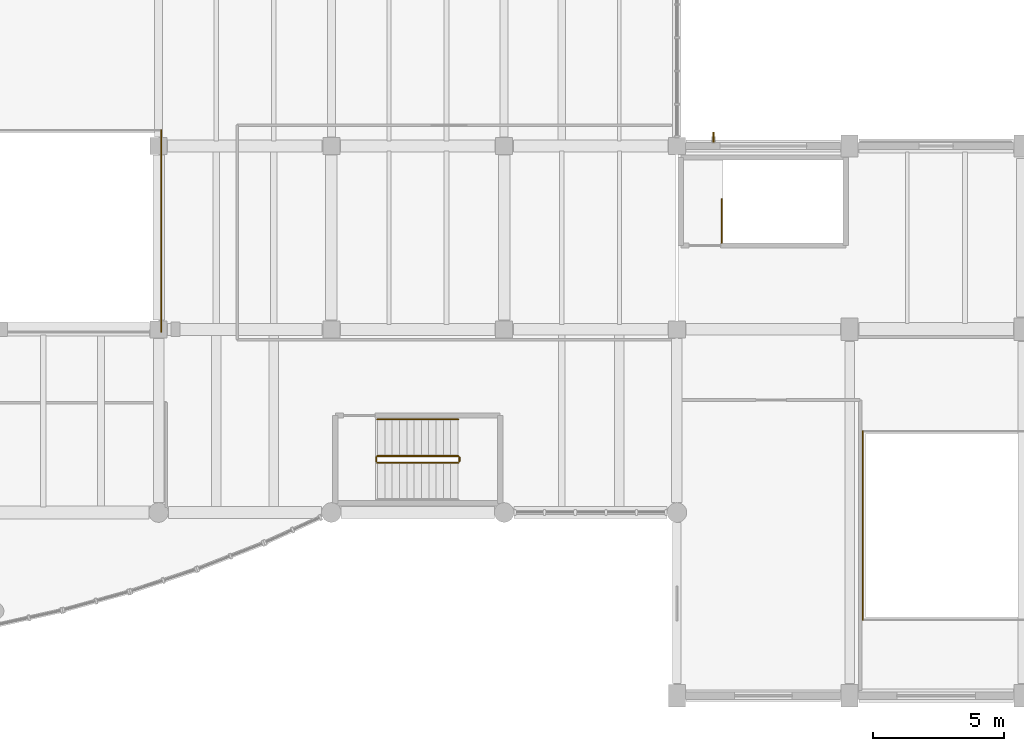
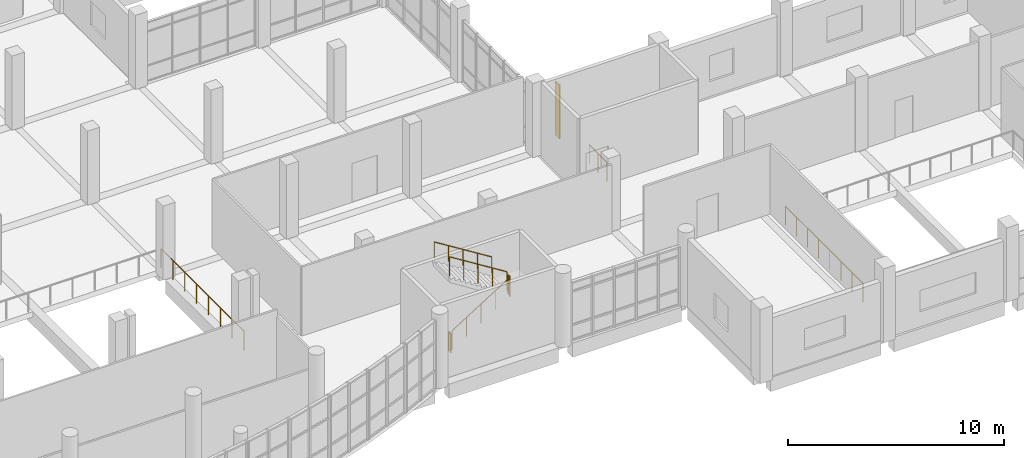
# One storey, part 62 of 68: 8 railings, 1 shading device.
"""IFC4 building model written with IfcOpenShell, lengths in metres."""

import ifcopenshell
import ifcopenshell.guid

model = None  # the IFC model being written
_history = None  # IfcOwnerHistory: only IFC2X3 demands one
_inside = {}  # id of a spatial element -> (the spatial element, [elements in it])
_under = {}  # id of a project, library or spatial element -> (it, [spatial elements below it])
_declared = {}  # id of a project -> (the project, [libraries it declares])
_typed = {}  # id of a type object -> (the type object, [elements of that type])
_made_of = {}  # id of a material, layer set ... -> (it, [elements and type objects made of it])


def new_model(schema):
    """Start an empty IFC model of exactly this schema.

    Asked for "IFC4X3", IfcOpenShell would pick the latest addendum, in which some entities
    have other attributes; the version numbers below select the first issue.
    IFC2X3 requires an IfcOwnerHistory on every rooted entity: one is made here for all.
    """
    global model, _history
    if schema == "IFC4X3":
        model = ifcopenshell.file(schema_version=(4, 3, 0, 0))
    else:
        model = ifcopenshell.file(schema=schema)
    _inside.clear()
    _under.clear()
    _declared.clear()
    _typed.clear()
    _made_of.clear()
    _history = None
    if model.schema == "IFC2X3":
        org = make("IfcOrganization", Name="unknown")
        user = make(
            "IfcPersonAndOrganization",
            ThePerson=make("IfcPerson", FamilyName="unknown"),
            TheOrganization=org,
        )
        app = make(
            "IfcApplication",
            ApplicationDeveloper=org,
            Version="unknown",
            ApplicationFullName="unknown",
            ApplicationIdentifier="unknown",
        )
        _history = make(
            "IfcOwnerHistory",
            OwningUser=user,
            OwningApplication=app,
            ChangeAction="ADDED",
            CreationDate=0,
        )
    return model


def make(cls, **values):
    """One entity of the class cls with the attributes given. An attribute that is None is left unset."""
    return model.create_entity(
        cls, **{name: value for name, value in values.items() if value is not None}
    )


def rooted(cls, **values):
    """An entity with a GlobalId (a new one), such as an element, a storey or a relation."""
    return make(cls, GlobalId=ifcopenshell.guid.new(), OwnerHistory=_history, **values)


def si_unit(unit_type, name, prefix=None):
    """IfcSIUnit, for example si_unit("LENGTHUNIT", "METRE", prefix="MILLI")."""
    return make("IfcSIUnit", UnitType=unit_type, Prefix=prefix, Name=name)


def assignment(units):
    """IfcUnitAssignment: the units of a project."""
    return None if units is None else make("IfcUnitAssignment", Units=units)


def point(xyz):
    """IfcCartesianPoint."""
    return None if xyz is None else make("IfcCartesianPoint", Coordinates=xyz)


def direction(xyz):
    """IfcDirection."""
    return None if xyz is None else make("IfcDirection", DirectionRatios=xyz)


def frame(location, z_axis=None, x_axis=None):
    """IfcAxis2Placement3D, a coordinate frame: its origin and axes. An axis left out is left unset."""
    return make(
        "IfcAxis2Placement3D",
        Location=point(location),
        Axis=direction(z_axis),
        RefDirection=direction(x_axis),
    )


def frame_2d(location, x_axis=None):
    """IfcAxis2Placement2D, a coordinate frame in the plane: its origin and x axis."""
    return make(
        "IfcAxis2Placement2D", Location=point(location), RefDirection=direction(x_axis)
    )


def origin():
    """The frame at (0, 0, 0) with its axes left unset."""
    return frame((0.0, 0.0, 0.0))


def origin_2d():
    """The frame at (0, 0) in the plane with its x axis left unset."""
    return frame_2d((0.0, 0.0))


def place(relative_to, where):
    """IfcLocalPlacement: puts the frame where relative to a parent placement (None: the world)."""
    return make(
        "IfcLocalPlacement", PlacementRelTo=relative_to, RelativePlacement=where
    )


def context(
    kind, dimensions, precision=None, world=None, true_north=None, identifier=None
):
    """IfcGeometricRepresentationContext, for example the 3D "Model" context."""
    return make(
        "IfcGeometricRepresentationContext",
        ContextIdentifier=identifier,
        ContextType=kind,
        CoordinateSpaceDimension=dimensions,
        Precision=precision,
        WorldCoordinateSystem=world,
        TrueNorth=true_north,
    )


def subcontext(parent, identifier, kind, view, scale=None):
    """IfcGeometricRepresentationSubContext, for example "Body" below "Model"."""
    return make(
        "IfcGeometricRepresentationSubContext",
        ContextIdentifier=identifier,
        ContextType=kind,
        ParentContext=parent,
        TargetScale=scale,
        TargetView=view,
    )


def project(units=None, contexts=None):
    """IfcProject with its units and contexts."""
    return rooted(
        "IfcProject",
        Name="project",
        RepresentationContexts=contexts,
        UnitsInContext=assignment(units),
    )


def spatial(cls, under=None, at=None, **own):
    """A site, building, storey or space (cls), placed at a placement, below another one or the project."""
    s = rooted(cls, ObjectPlacement=at, **own)
    if under is not None:
        _under.setdefault(under.id(), (under, []))[1].append(s)
    return s


def profile(cls, at=None, kind="AREA", **sizes):
    """A parametric profile (cls). Its sizes go by their IFC names, for example OverallWidth=200.0."""
    return make(cls, ProfileType=kind, Position=at, **sizes)


def rectangle(**sizes):
    """IfcRectangleProfileDef."""
    return profile("IfcRectangleProfileDef", **sizes)


def circle(**sizes):
    """IfcCircleProfileDef."""
    return profile("IfcCircleProfileDef", **sizes)


def extrude(swept, where, along, depth):
    """IfcExtrudedAreaSolid: the profile swept, set in the frame where, extruded along a direction by depth."""
    return make(
        "IfcExtrudedAreaSolid",
        SweptArea=swept,
        Position=where,
        ExtrudedDirection=direction(along),
        Depth=depth,
    )


def shape(context_of_items, identifier, shape_type, items):
    """IfcShapeRepresentation: the items that make up one representation, for example the "Body"."""
    return make(
        "IfcShapeRepresentation",
        ContextOfItems=context_of_items,
        RepresentationIdentifier=identifier,
        RepresentationType=shape_type,
        Items=items,
    )


def material(Name=None, Category=None):
    """IfcMaterial."""
    return make("IfcMaterial", Name=Name, Category=Category)


def material_profile(
    of_material, cross_section, Name=None, Category=None, Priority=None
):
    """IfcMaterialProfile: a cross section and its material."""
    return make(
        "IfcMaterialProfile",
        Name=Name,
        Material=of_material,
        Profile=cross_section,
        Priority=Priority,
        Category=Category,
    )


def profile_set(profiles, Name=None, composite=None):
    """IfcMaterialProfileSet."""
    return make(
        "IfcMaterialProfileSet",
        Name=Name,
        MaterialProfiles=profiles,
        CompositeProfile=composite,
    )


def made_of(thing, what):
    """Note that an element or type object is made of a material, layer set ...; save() writes the relation."""
    if what is not None:
        _made_of.setdefault(what.id(), (what, []))[1].append(thing)
    return thing


def type_object(cls, material=None, **own):
    """A type object (cls), such as IfcWallType, which elements share."""
    return made_of(rooted(cls, **own), material)


def element(
    cls,
    number,
    at=None,
    inside=None,
    cuts=None,
    type_object=None,
    material=None,
    context=None,
    identifier="Body",
    shape_type=None,
    held_by="IfcProductDefinitionShape",
    body=None,
    shapes=None,
    **own,
):
    """One element of the class cls, such as IfcWall. Its Tag is "e" and its number.

    at: its placement. inside: the storey or other place that contains it. cuts: it is an
    opening in that element (IfcRelVoidsElement). A single representation is given by context,
    identifier, shape_type and body (its items); several are given by shapes. held_by: the class
    of the entity that holds the representations. save() writes the other relations.
    """
    e = rooted(cls, Tag="e%d" % number, ObjectPlacement=at, **own)
    if body is not None:
        shapes = [shape(context, identifier, shape_type, body)]
    if shapes is not None:
        e.Representation = make(held_by, Representations=shapes)
    if inside is not None:
        _inside.setdefault(inside.id(), (inside, []))[1].append(e)
    if cuts is not None:
        rooted(
            "IfcRelVoidsElement", RelatingBuildingElement=cuts, RelatedOpeningElement=e
        )
    if type_object is not None:
        _typed.setdefault(type_object.id(), (type_object, []))[1].append(e)
    return made_of(e, material)


def aggregate(whole, parts):
    """IfcRelAggregates: a whole, such as a stair, and the parts it consists of."""
    return rooted("IfcRelAggregates", RelatingObject=whole, RelatedObjects=parts)


def save(model, path):
    """Write the relations noted so far, then the file.

    IfcRelAggregates (storeys below a building ...), IfcRelContainedInSpatialStructure (elements
    in a storey), IfcRelDefinesByType, IfcRelAssociatesMaterial and IfcRelDeclares: one each for
    every whole, place, type object, material and project.
    """
    for whole, parts in _under.values():
        aggregate(whole, parts)
    for where, things in _inside.values():
        rooted(
            "IfcRelContainedInSpatialStructure",
            RelatedElements=things,
            RelatingStructure=where,
        )
    for kind, things in _typed.values():
        rooted("IfcRelDefinesByType", RelatedObjects=things, RelatingType=kind)
    for what, things in _made_of.values():
        rooted("IfcRelAssociatesMaterial", RelatedObjects=things, RelatingMaterial=what)
    for by, libraries in _declared.values():
        rooted("IfcRelDeclares", RelatingContext=by, RelatedDefinitions=libraries)
    model.write(path)


model = new_model("IFC4")

# Units and contexts
model_context = context("Model", 3, precision=1e-05, world=origin(), true_north=direction((0.0, 1.0)))
body_context = subcontext(model_context, "Body", "Model", "MODEL_VIEW")
ifc_project = project(units=[si_unit("LENGTHUNIT", "METRE"), si_unit("AREAUNIT", "SQUARE_METRE"), si_unit("VOLUMEUNIT", "CUBIC_METRE"), si_unit("PLANEANGLEUNIT", "RADIAN"), si_unit("MASSUNIT", "GRAM", prefix="KILO")], contexts=[model_context])

# Site, building, storey
site_placement = place(None, origin())
site = spatial("IfcSite", under=ifc_project, at=site_placement, CompositionType="ELEMENT")
building_placement = place(site_placement, origin())
building = spatial("IfcBuilding", under=site, at=building_placement, Name="Ciguamira Faculty of Natural Sciences", CompositionType="ELEMENT")
storey_placement = place(building_placement, frame((0.0, 0.0, 4.199951171875)))
storey = spatial("IfcBuildingStorey", under=building, at=storey_placement, Name="L01", CompositionType="ELEMENT", Elevation=4.199951171875)

# Railings
ifc_material_1 = material(Name="Stainless steel balustrade", Category="steel")
railing_type_1 = type_object("IfcRailingType", Name="Guardrail_GR01", PredefinedType="GUARDRAIL", material=ifc_material_1)
railing_1_placement = place(storey_placement, frame((111.860107421875, 11.89990234375, 0.175048828125)))
element("IfcRailing", 1, at=railing_1_placement, inside=storey, type_object=railing_type_1, Name="L01 ST-A2 stair guard 1", PredefinedType="GUARDRAIL", context=body_context, shape_type="SweptSolid", body=[
    extrude(circle(Radius=0.02392578125, at=origin_2d()), frame((0.0, 0.0, 1.076171875), z_axis=(0.847979421464, 0.0, 0.530029150871), x_axis=(0.0, 1.0, 0.0)), (0.0, 0.0, 1.0), 3.632080078125),
    extrude(circle(Radius=0.02099609375, at=origin_2d()), origin(), (0.0, 0.0, 1.0), 1.052001953125),
    extrude(circle(Radius=0.02099609375, at=origin_2d()), frame((0.77001953125, 0.0, 0.481201171875)), (0.0, 0.0, 1.0), 1.052001953125),
    extrude(circle(Radius=0.02099609375, at=origin_2d()), frame((1.5400390625, 0.0, 0.96240234375)), (0.0, 0.0, 1.0), 1.052001953125),
    extrude(circle(Radius=0.02099609375, at=origin_2d()), frame((2.309814453125, 0.0, 1.44384765625)), (0.0, 0.0, 1.0), 1.052001953125),
    extrude(circle(Radius=0.02099609375, at=origin_2d()), frame((3.079833984375, 0.0, 1.925048828125)), (0.0, 0.0, 1.0), 1.052001953125),
])
railing_2_placement = place(storey_placement, frame((114.989990234375, 11.949951171875, 2.10009765625)))
element("IfcRailing", 2, at=railing_2_placement, inside=storey, type_object=railing_type_1, Name="L01 ST-A2 stair guard 2", PredefinedType="GUARDRAIL", context=body_context, shape_type="SweptSolid", body=[
    extrude(circle(Radius=0.02392578125, at=origin_2d()), frame((0.0, 0.0, 1.076171875), z_axis=(0.0, 1.0, 0.0), x_axis=(-1.0, 0.0, 0.0)), (0.0, 0.0, 1.0), 0.16015625),
    extrude(circle(Radius=0.02099609375, at=origin_2d()), origin(), (0.0, 0.0, 1.0), 1.052001953125),
    extrude(circle(Radius=0.02099609375, at=origin_2d()), frame((0.0, 0.16015625, 0.0)), (0.0, 0.0, 1.0), 1.052001953125),
])
railing_3_placement = place(storey_placement, frame((114.93994140625, 12.159912109375, 2.275146484375)))
element("IfcRailing", 3, at=railing_3_placement, inside=storey, type_object=railing_type_1, Name="L01 ST-A2 stair guard 3", PredefinedType="GUARDRAIL", context=body_context, shape_type="SweptSolid", body=[
    extrude(circle(Radius=0.02392578125, at=origin_2d()), frame((0.0, 0.0, 1.076171875), z_axis=(-0.848009633417, 0.0, 0.529980812513), x_axis=(0.0, -1.0, 0.0)), (0.0, 0.0, 1.0), 3.6318359375),
    extrude(circle(Radius=0.02099609375, at=origin_2d()), origin(), (0.0, 0.0, 1.0), 1.052001953125),
    extrude(circle(Radius=0.02099609375, at=origin_2d()), frame((-0.77001953125, 0.0, 0.481201171875)), (0.0, 0.0, 1.0), 1.052001953125),
    extrude(circle(Radius=0.02099609375, at=origin_2d()), frame((-1.5400390625, 0.0, 0.96240234375)), (0.0, 0.0, 1.0), 1.052001953125),
    extrude(circle(Radius=0.02099609375, at=origin_2d()), frame((-2.309814453125, 0.0, 1.443603515625)), (0.0, 0.0, 1.0), 1.052001953125),
    extrude(circle(Radius=0.02099609375, at=origin_2d()), frame((-3.079833984375, 0.0, 1.9248046875)), (0.0, 0.0, 1.0), 1.052001953125),
])
railing_4_placement = place(storey_placement, frame((111.81005859375, 11.949951171875, 0.0)))
element("IfcRailing", 4, at=railing_4_placement, inside=storey, type_object=railing_type_1, Name="L01 ST-A2 stair guard 4", PredefinedType="GUARDRAIL", context=body_context, shape_type="SweptSolid", body=[
    extrude(circle(Radius=0.02392578125, at=origin_2d()), frame((0.0, 0.0, 1.076171875), z_axis=(0.0, 1.0, 0.0), x_axis=(-1.0, 0.0, 0.0)), (0.0, 0.0, 1.0), 0.16015625),
    extrude(circle(Radius=0.02099609375, at=origin_2d()), origin(), (0.0, 0.0, 1.0), 1.052001953125),
    extrude(circle(Radius=0.02099609375, at=origin_2d()), frame((0.0, 0.16015625, 0.0)), (0.0, 0.0, 1.0), 1.052001953125),
])
railing_5_placement = place(storey_placement, frame((125.010009765625, 20.300048828125, 0.0)))
element("IfcRailing", 5, at=railing_5_placement, inside=storey, type_object=railing_type_1, Name="L01 ST-L1 top well guard 1", PredefinedType="GUARDRAIL", context=body_context, shape_type="SweptSolid", body=[
    extrude(circle(Radius=0.02392578125, at=origin_2d()), frame((0.0, 0.0, 1.076171875), z_axis=(0.0, 1.0, 0.0), x_axis=(-1.0, 0.0, 0.0)), (0.0, 0.0, 1.0), 1.659912109375),
    extrude(circle(Radius=0.02099609375, at=origin_2d()), origin(), (0.0, 0.0, 1.0), 1.052001953125),
    extrude(circle(Radius=0.02099609375, at=origin_2d()), frame((0.0, 0.830078125, 0.0)), (0.0, 0.0, 1.0), 1.052001953125),
    extrude(circle(Radius=0.02099609375, at=origin_2d()), frame((0.0, 1.659912109375, 0.0)), (0.0, 0.0, 1.0), 1.052001953125),
])
railing_6_placement = place(storey_placement, frame((103.60009765625, 16.89990234375, 0.0)))
element("IfcRailing", 6, at=railing_6_placement, inside=storey, type_object=railing_type_1, Name="L01 atrium void guardrail E", PredefinedType="GUARDRAIL", context=body_context, shape_type="SweptSolid", body=[
    extrude(circle(Radius=0.02392578125, at=origin_2d()), frame((0.0, 0.0, 1.076171875), z_axis=(0.0, 1.0, 0.0), x_axis=(-1.0, 0.0, 0.0)), (0.0, 0.0, 1.0), 7.7001953125),
    extrude(circle(Radius=0.02099609375, at=origin_2d()), origin(), (0.0, 0.0, 1.0), 1.052001953125),
    extrude(circle(Radius=0.02099609375, at=origin_2d()), frame((0.0, 1.10009765625, 0.0)), (0.0, 0.0, 1.0), 1.052001953125),
    extrude(circle(Radius=0.02099609375, at=origin_2d()), frame((0.0, 2.199951171875, 0.0)), (0.0, 0.0, 1.0), 1.052001953125),
    extrude(circle(Radius=0.02099609375, at=origin_2d()), frame((0.0, 3.300048828125, 0.0)), (0.0, 0.0, 1.0), 1.052001953125),
    extrude(circle(Radius=0.02099609375, at=origin_2d()), frame((0.0, 4.400146484375, 0.0)), (0.0, 0.0, 1.0), 1.052001953125),
    extrude(circle(Radius=0.02099609375, at=origin_2d()), frame((0.0, 5.500244140625, 0.0)), (0.0, 0.0, 1.0), 1.052001953125),
    extrude(circle(Radius=0.02099609375, at=origin_2d()), frame((0.0, 6.60009765625, 0.0)), (0.0, 0.0, 1.0), 1.052001953125),
    extrude(circle(Radius=0.02099609375, at=origin_2d()), frame((0.0, 7.7001953125, 0.0)), (0.0, 0.0, 1.0), 1.052001953125),
])
railing_7_placement = place(storey_placement, frame((130.39990234375, 5.89990234375, 0.0)))
element("IfcRailing", 7, at=railing_7_placement, inside=storey, type_object=railing_type_1, Name="L01 lecture hall W balcony void guardrail W", PredefinedType="GUARDRAIL", context=body_context, shape_type="SweptSolid", body=[
    extrude(circle(Radius=0.02392578125, at=origin_2d()), frame((0.0, 0.0, 1.076171875), z_axis=(0.0, 1.0, 0.0), x_axis=(-1.0, 0.0, 0.0)), (0.0, 0.0, 1.0), 7.2001953125),
    extrude(circle(Radius=0.02099609375, at=origin_2d()), origin(), (0.0, 0.0, 1.0), 1.052001953125),
    extrude(circle(Radius=0.02099609375, at=origin_2d()), frame((0.0, 1.028564453125, 0.0)), (0.0, 0.0, 1.0), 1.052001953125),
    extrude(circle(Radius=0.02099609375, at=origin_2d()), frame((0.0, 2.05712890625, 0.0)), (0.0, 0.0, 1.0), 1.052001953125),
    extrude(circle(Radius=0.02099609375, at=origin_2d()), frame((0.0, 3.085693359375, 0.0)), (0.0, 0.0, 1.0), 1.052001953125),
    extrude(circle(Radius=0.02099609375, at=origin_2d()), frame((0.0, 4.114501953125, 0.0)), (0.0, 0.0, 1.0), 1.052001953125),
    extrude(circle(Radius=0.02099609375, at=origin_2d()), frame((0.0, 5.14306640625, 0.0)), (0.0, 0.0, 1.0), 1.052001953125),
    extrude(circle(Radius=0.02099609375, at=origin_2d()), frame((0.0, 6.171630859375, 0.0)), (0.0, 0.0, 1.0), 1.052001953125),
    extrude(circle(Radius=0.02099609375, at=origin_2d()), frame((0.0, 7.2001953125, 0.0)), (0.0, 0.0, 1.0), 1.052001953125),
])
ifc_material_2 = material(Name="Stainless steel handrail", Category="steel")
railing_type_2 = type_object("IfcRailingType", Name="Handrail_HR01", PredefinedType="HANDRAIL", material=ifc_material_2)
railing_8_placement = place(storey_placement, frame((114.93994140625, 13.56005859375, 2.449951171875)))
element("IfcRailing", 8, at=railing_8_placement, inside=storey, type_object=railing_type_2, Name="L01 ST-A2 stair handrail 2", PredefinedType="HANDRAIL", context=body_context, shape_type="SweptSolid", body=[
    extrude(circle(Radius=0.02392578125, at=origin_2d()), frame((0.0, 0.0, 0.89111328125), z_axis=(-0.847979421464, 0.0, 0.530029150871), x_axis=(0.0, -1.0, 0.0)), (0.0, 0.0, 1.0), 3.632080078125),
    extrude(circle(Radius=0.02099609375, at=origin_2d()), origin(), (0.0, 0.0, 1.0), 0.866943359375),
    extrude(circle(Radius=0.02099609375, at=origin_2d()), frame((-0.77001953125, 0.0, 0.481201171875)), (0.0, 0.0, 1.0), 0.866943359375),
    extrude(circle(Radius=0.02099609375, at=origin_2d()), frame((-1.5400390625, 0.0, 0.96240234375)), (0.0, 0.0, 1.0), 0.866943359375),
    extrude(circle(Radius=0.02099609375, at=origin_2d()), frame((-2.309814453125, 0.0, 1.44384765625)), (0.0, 0.0, 1.0), 0.866943359375),
    extrude(circle(Radius=0.02099609375, at=origin_2d()), frame((-3.079833984375, 0.0, 1.925048828125)), (0.0, 0.0, 1.0), 0.866943359375),
])

# Shading device
ifc_material_3 = material(Name="Anodized bronze sunshade fin")
ifc_material_profile = material_profile(ifc_material_3, rectangle(XDim=0.06494140625, YDim=0.3798828125, at=origin_2d()), Name="BRZ-FIN-65X380")
ifc_profile_set = profile_set([ifc_material_profile], Name="Anodized bronze sunshade fin")
shading_device_type = type_object("IfcShadingDeviceType", Name="SunFin_SF01", PredefinedType="USERDEFINED", material=ifc_profile_set)
shading_device_placement = place(storey_placement, frame((124.699951171875, 24.330078125, 0.199951171875), z_axis=(0.0, 0.0, 1.0), x_axis=(1.0, 0.0, 0.0)))
element("IfcShadingDevice", 9, at=shading_device_placement, inside=storey, type_object=shading_device_type, Name="L01 bronze vertical sunshade fin 0011", ObjectType="SUNSHADE FIN", PredefinedType="USERDEFINED", context=body_context, shape_type="SweptSolid", body=[
    extrude(rectangle(XDim=0.06494140625, YDim=0.3798828125, at=origin_2d()), origin(), (0.0, 0.0, 1.0), 3.03515625),
])

save(model, "model.ifc")
